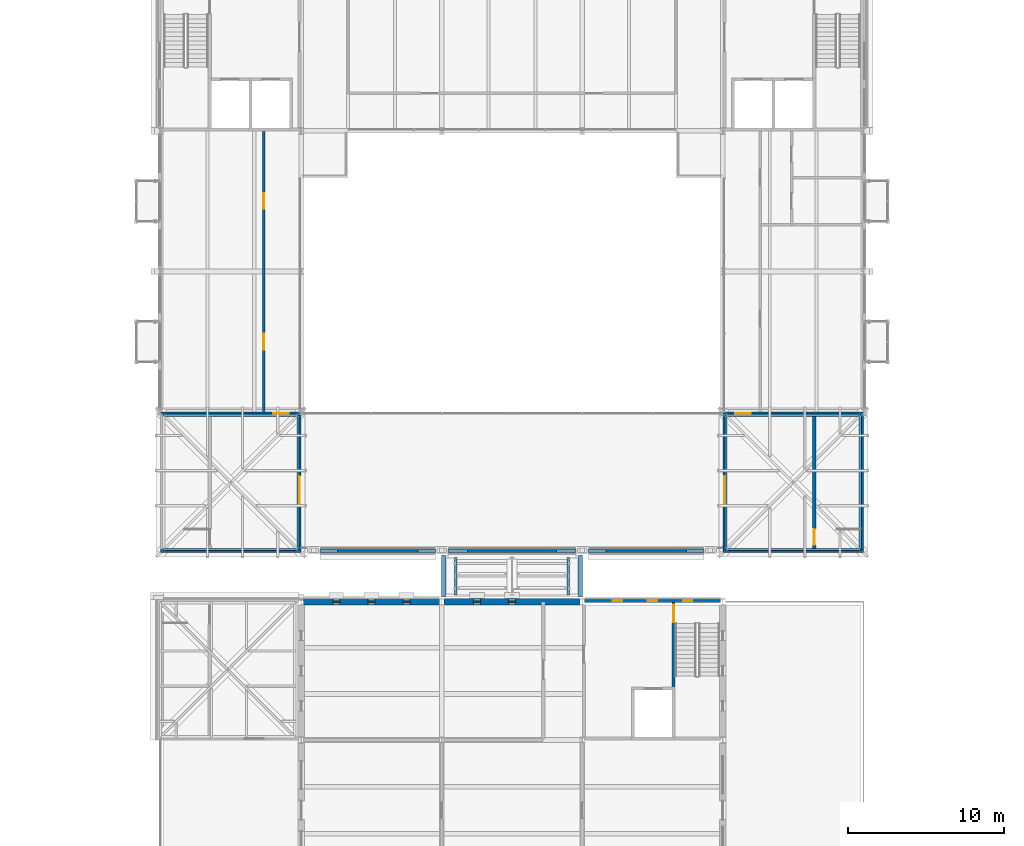
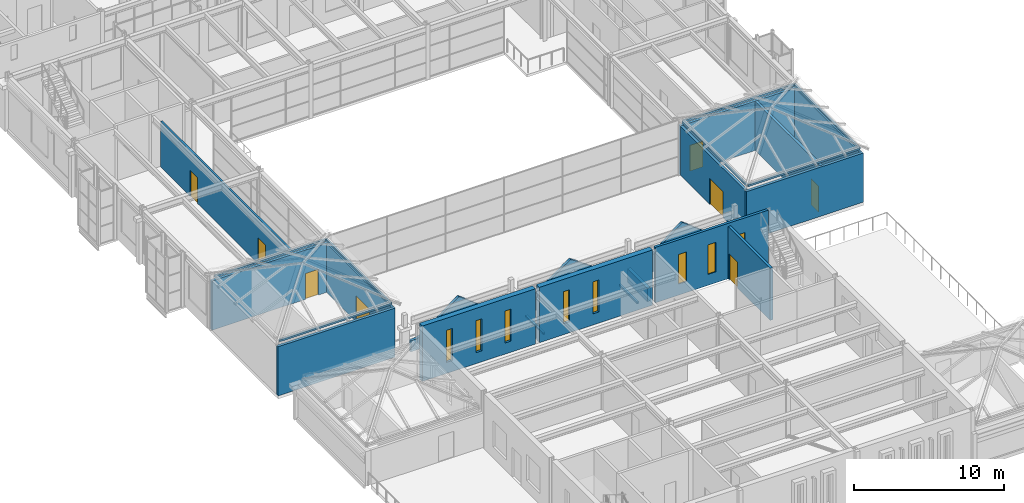
# One storey, part 91 of 149: 27 walls, 8 doors, 8 windows, 16 openings.
"""IFC4 building model written with IfcOpenShell, lengths in metres."""

from ifc_helpers import new_model, si_unit, direction, frame, frame_2d, origin, place, context, subcontext, project, spatial, polyline, rectangle, outline, extrude, material, layer, layer_set, type_object, element, fill, save


model = new_model("IFC4")

# Units and contexts
model_context = context("Model", 3, precision=1e-05, world=origin(), true_north=direction((0.0, 1.0)))
body_context = subcontext(model_context, "Body", "Model", "MODEL_VIEW")
ifc_project = project(units=[si_unit("LENGTHUNIT", "METRE"), si_unit("AREAUNIT", "SQUARE_METRE"), si_unit("VOLUMEUNIT", "CUBIC_METRE"), si_unit("PLANEANGLEUNIT", "RADIAN"), si_unit("MASSUNIT", "GRAM", prefix="KILO")], contexts=[model_context])

# Site, building, storey
site_placement = place(None, origin())
site = spatial("IfcSite", under=ifc_project, at=site_placement, CompositionType="ELEMENT")
building_placement = place(site_placement, origin())
building = spatial("IfcBuilding", under=site, at=building_placement, Name="Kallimachos Central Library", CompositionType="ELEMENT")
storey_placement = place(building_placement, frame((0.0, 0.0, 9.89990234375)))
storey = spatial("IfcBuildingStorey", under=building, at=storey_placement, Name="L02", CompositionType="ELEMENT", Elevation=9.89990234375)

# Walls
ifc_material_1 = material(Name="Concrete C30/37", Category="concrete")
ifc_layer_1 = layer(ifc_material_1, 0.14990234375)
ifc_layer_set_1 = layer_set([ifc_layer_1], Name="Concrete C30/37 eaves kerb 150")
wall_type_1 = type_object("IfcWallType", Name="Concrete C30/37 eaves kerb 150", PredefinedType="SOLIDWALL", material=ifc_layer_set_1)
for number, where, z_axis, x_axis, name in (
    (1, (65.699951171875, 48.199951171875, 4.25), (0.0, 0.0, 1.0), (1.0, 0.0, 0.0), "Head-house roof V4-SW eaves kerb S"),
    (2, (65.699951171875, 56.800048828125, 4.25), (0.0, 0.0, 1.0), (1.0, 0.0, 0.0), "Head-house roof V4-SW eaves kerb N"),
    (3, (74.300048828125, 48.199951171875, 4.25), (0.0, 0.0, 1.0), (0.0, 1.0, 0.0), "Head-house roof V4-SW eaves kerb E"),
    (4, (101.699951171875, 48.199951171875, 4.25), (0.0, 0.0, 1.0), (1.0, 0.0, 0.0), "Head-house roof V4-SE eaves kerb S"),
    (5, (101.699951171875, 56.800048828125, 4.25), (0.0, 0.0, 1.0), (1.0, 0.0, 0.0), "Head-house roof V4-SE eaves kerb N"),
    (6, (101.699951171875, 48.199951171875, 4.25), (0.0, 0.0, 1.0), (0.0, 1.0, 0.0), "Head-house roof V4-SE eaves kerb W"),
    (7, (110.300048828125, 48.199951171875, 4.25), (0.0, 0.0, 1.0), (0.0, 1.0, 0.0), "Head-house roof V4-SE eaves kerb E"),
):
    element("IfcWall", number, at=place(storey_placement, frame(where, z_axis=z_axis, x_axis=x_axis)), inside=storey, type_object=wall_type_1, Name=name, PredefinedType="SOLIDWALL", context=body_context, shape_type="SweptSolid", body=[
        extrude(rectangle(XDim=8.60009765625, YDim=0.14990234375, at=frame_2d((4.300048828125, 0.0))), origin(), (0.0, 0.0, 1.0), 0.150146484375),
    ])
for number, where, z_axis, x_axis, name in (
    (8, (84.39990234375, 45.300048828125, 0.0), (0.0, 0.0, 1.0), (0.0, 1.0, 0.0), "Stacks Link roof eaves kerb W"),
    (9, (91.60009765625, 45.300048828125, 0.0), (0.0, 0.0, 1.0), (0.0, 1.0, 0.0), "Stacks Link roof eaves kerb E"),
):
    element("IfcWall", number, at=place(storey_placement, frame(where, z_axis=z_axis, x_axis=x_axis)), inside=storey, type_object=wall_type_1, Name=name, PredefinedType="SOLIDWALL", context=body_context, shape_type="SweptSolid", body=[
        extrude(rectangle(XDim=2.39990234375, YDim=0.14990234375, at=frame_2d((1.199951171875, 0.0))), origin(), (0.0, 0.0, 1.0), 0.150146484375),
    ])

# Wall, opening, door
ifc_material_2 = material(Name="Concrete C30/37", Category="concrete")
ifc_layer_2 = layer(ifc_material_2, 0.199951171875)
ifc_layer_set_2 = layer_set([ifc_layer_2], Name="Core wall 200")
wall_type_2 = type_object("IfcWallType", Name="Core wall 200", PredefinedType="SOLIDWALL", material=ifc_layer_set_2)
wall_1_placement = place(storey_placement, frame((98.35009765625, 39.199951171875, 0.0), z_axis=(0.0, 0.0, 1.0), x_axis=(0.0, 1.0, 0.0)))
wall_1 = element("IfcWall", 10, at=wall_1_placement, inside=storey, type_object=wall_type_2, Name="V5-WAL-L02-044", PredefinedType="SOLIDWALL", context=body_context, shape_type="SweptSolid", body=[
    extrude(rectangle(XDim=5.60009765625, YDim=0.199951171875, at=frame_2d((2.800048828125, 0.0))), origin(), (0.0, 0.0, 1.0), 4.25),
])
opening_1_placement = place(wall_1_placement, frame((4.35009765625, 0.0, 0.0)))
opening_1 = element("IfcOpeningElement", 11, at=opening_1_placement, cuts=wall_1, Name="Opening D111", PredefinedType="OPENING", context=body_context, shape_type="SweptSolid", body=[
    extrude(rectangle(XDim=1.10009765625, YDim=2.10009765625, at=frame_2d((0.550048828125, 1.050048828125))), frame((0.0, 0.10986328125, 0.0), z_axis=(0.0, -1.0, 0.0), x_axis=(1.0, 0.0, 0.0)), (0.0, 0.0, 1.0), 0.219970703125),
])
ifc_material_3 = material(Name="Steel fire door", Category="steel")
door_type_1 = type_object("IfcDoorType", Name="Fire door EI2 90 1100 x 2100", OperationType="NOTDEFINED", PredefinedType="DOOR", material=ifc_material_3)
door_1_placement = place(opening_1_placement, frame((1.10009765625, 0.0, 0.0), z_axis=(0.0, 0.0, 1.0), x_axis=(-1.0, 0.0, 0.0)))
door_1 = element("IfcDoor", 12, at=door_1_placement, inside=storey, type_object=door_type_1, Name="ST14 stair door L02", OperationType="SINGLE_SWING_RIGHT", OverallHeight=2.10009765625, OverallWidth=1.10009765625, PredefinedType="DOOR", context=body_context, shape_type="SweptSolid", body=[
    extrude(rectangle(XDim=1.10009765625, YDim=2.10009765625, at=frame_2d((0.550048828125, 1.050048828125))), frame((0.0, 0.02490234375, 0.0), z_axis=(0.0, -1.0, 0.0), x_axis=(1.0, 0.0, 0.0)), (0.0, 0.0, 1.0), 0.050048828125),
])
fill(opening_1, door_1)

# Walls
ifc_material_4 = material(Name="Brick masonry with stone coping", Category="masonry")
ifc_layer_3 = layer(ifc_material_4, 0.25)
ifc_layer_set_3 = layer_set([ifc_layer_3], Name="Link parapet wall 250")
wall_type_3 = type_object("IfcWallType", Name="Link parapet wall 250", PredefinedType="SOLIDWALL", material=ifc_layer_set_3)
for number, where, z_axis, x_axis, name in (
    (13, (83.625, 45.169921875, 0.0), (0.0, 0.0, 1.0), (0.0, 1.0, 0.0), "Stacks Link roof parapet"),
    (14, (92.375, 45.169921875, 0.0), (0.0, 0.0, 1.0), (0.0, 1.0, 0.0), "Stacks Link roof parapet"),
):
    element("IfcWall", number, at=place(storey_placement, frame(where, z_axis=z_axis, x_axis=x_axis)), inside=storey, type_object=wall_type_3, Name=name, PredefinedType="SOLIDWALL", context=body_context, shape_type="SweptSolid", body=[
        extrude(rectangle(XDim=2.66015625, YDim=0.25, at=frame_2d((1.330078125, 0.0))), origin(), (0.0, 0.0, 1.0), 1.10009765625),
    ])

# Wall, openings, doors
ifc_material_5 = material(Name="Gypsum board on steel studs", Category="steel")
ifc_layer_4 = layer(ifc_material_5, 0.14990234375)
ifc_layer_set_4 = layer_set([ifc_layer_4], Name="Partition wall 150")
wall_type_4 = type_object("IfcWallType", Name="Partition wall 150", PredefinedType="PARTITIONING", material=ifc_layer_set_4)
wall_2_placement = place(storey_placement, frame((72.10009765625, 57.050048828125, 0.0), z_axis=(0.0, 0.0, 1.0), x_axis=(0.0, 1.0, 0.0)))
wall_2 = element("IfcWall", 15, at=wall_2_placement, inside=storey, type_object=wall_type_4, Name="L02 partition", PredefinedType="PARTITIONING", context=body_context, shape_type="SweptSolid", body=[
    extrude(rectangle(XDim=17.89990234375, YDim=0.14990234375, at=frame_2d((8.949951171875, 0.0))), origin(), (0.0, 0.0, 1.0), 3.7001953125),
])
opening_2_placement = place(wall_2_placement, frame((3.949951171875, 0.0, 0.0)))
opening_2 = element("IfcOpeningElement", 16, at=opening_2_placement, cuts=wall_2, Name="Opening D201", PredefinedType="OPENING", context=body_context, shape_type="SweptSolid", body=[
    extrude(rectangle(XDim=1.0, YDim=2.10009765625, at=frame_2d((0.5, 1.050048828125))), frame((0.0, 0.0849609375, 0.0), z_axis=(0.0, -1.0, 0.0), x_axis=(1.0, 0.0, 0.0)), (0.0, 0.0, 1.0), 0.169921875),
])
opening_3_placement = place(wall_2_placement, frame((12.949951171875, 0.0, 0.0)))
opening_3 = element("IfcOpeningElement", 17, at=opening_3_placement, cuts=wall_2, Name="Opening D202", PredefinedType="OPENING", context=body_context, shape_type="SweptSolid", body=[
    extrude(rectangle(XDim=1.0, YDim=2.10009765625, at=frame_2d((0.5, 1.050048828125))), frame((0.0, 0.0849609375, 0.0), z_axis=(0.0, -1.0, 0.0), x_axis=(1.0, 0.0, 0.0)), (0.0, 0.0, 1.0), 0.169921875),
])
ifc_material_6 = material(Name="Timber", Category="wood")
door_type_2 = type_object("IfcDoorType", Name="Single leaf door 1000 x 2100, EI2 30", OperationType="NOTDEFINED", PredefinedType="DOOR", material=ifc_material_6)
door_2_placement = place(opening_2_placement, frame((1.0, 0.0, 0.0), z_axis=(0.0, 0.0, 1.0), x_axis=(-1.0, 0.0, 0.0)))
door_2 = element("IfcDoor", 18, at=door_2_placement, inside=storey, type_object=door_type_2, Name="L02 door Quiet Reading Room 1", OperationType="SINGLE_SWING_LEFT", OverallHeight=2.10009765625, OverallWidth=1.0, PredefinedType="DOOR", context=body_context, shape_type="SweptSolid", body=[
    extrude(rectangle(XDim=1.0, YDim=2.10009765625, at=frame_2d((0.5, 1.050048828125))), frame((0.0, 0.02490234375, 0.0), z_axis=(0.0, -1.0, 0.0), x_axis=(1.0, 0.0, 0.0)), (0.0, 0.0, 1.0), 0.050048828125),
])
fill(opening_2, door_2)
door_3_placement = place(opening_3_placement, frame((1.0, 0.0, 0.0), z_axis=(0.0, 0.0, 1.0), x_axis=(-1.0, 0.0, 0.0)))
door_3 = element("IfcDoor", 19, at=door_3_placement, inside=storey, type_object=door_type_2, Name="L02 door Quiet Reading Room 1", OperationType="SINGLE_SWING_LEFT", OverallHeight=2.10009765625, OverallWidth=1.0, PredefinedType="DOOR", context=body_context, shape_type="SweptSolid", body=[
    extrude(rectangle(XDim=1.0, YDim=2.10009765625, at=frame_2d((0.5, 1.050048828125))), frame((0.0, 0.02490234375, 0.0), z_axis=(0.0, -1.0, 0.0), x_axis=(1.0, 0.0, 0.0)), (0.0, 0.0, 1.0), 0.050048828125),
])
fill(opening_3, door_3)

# Wall
ifc_material_7 = material(Name="Concrete C35/45", Category="concrete")
ifc_layer_5 = layer(ifc_material_7, 0.199951171875)
ifc_layer_set_5 = layer_set([ifc_layer_5], Name="Shear core wall 200")
wall_type_5 = type_object("IfcWallType", Name="Shear core wall 200", PredefinedType="SHEAR", material=ifc_layer_set_5)
wall_3_placement = place(storey_placement, frame((65.5, 48.10009765625, 0.0), z_axis=(0.0, 0.0, 1.0), x_axis=(1.0, 0.0, 0.0)))
element("IfcWall", 20, at=wall_3_placement, inside=storey, type_object=wall_type_5, Name="Head-house wall V4-SW S", PredefinedType="SHEAR", context=body_context, shape_type="SweptSolid", body=[
    extrude(rectangle(XDim=9.0, YDim=0.199951171875, at=frame_2d((4.5, 0.0))), origin(), (0.0, 0.0, 1.0), 4.0),
])

# Wall, opening, door
wall_4_placement = place(storey_placement, frame((74.39990234375, 48.199951171875, 0.0), z_axis=(0.0, 0.0, 1.0), x_axis=(0.0, 1.0, 0.0)))
wall_4 = element("IfcWall", 21, at=wall_4_placement, inside=storey, type_object=wall_type_5, Name="Head-house wall V4-SW E", PredefinedType="SHEAR", context=body_context, shape_type="SweptSolid", body=[
    extrude(rectangle(XDim=8.60009765625, YDim=0.199951171875, at=frame_2d((4.300048828125, 0.0))), origin(), (0.0, 0.0, 1.0), 4.0),
])
opening_4_placement = place(wall_4_placement, frame((2.89990234375, 0.0, 0.0)))
opening_4 = element("IfcOpeningElement", 22, at=opening_4_placement, cuts=wall_4, Name="Opening D47", PredefinedType="OPENING", context=body_context, shape_type="SweptSolid", body=[
    extrude(rectangle(XDim=1.800048828125, YDim=2.10009765625, at=frame_2d((0.89990234375, 1.050048828125))), frame((0.0, 0.10986328125, 0.0), z_axis=(0.0, -1.0, 0.0), x_axis=(1.0, 0.0, 0.0)), (0.0, 0.0, 1.0), 0.219970703125),
])
ifc_material_8 = material(Name="Timber and glass", Category="wood")
door_type_3 = type_object("IfcDoorType", Name="Double leaf door 1800 x 2100, EI2 90", OperationType="DOUBLE_DOOR_SINGLE_SWING", PredefinedType="DOOR", material=ifc_material_8)
door_4_placement = place(opening_4_placement, origin())
door_4 = element("IfcDoor", 23, at=door_4_placement, inside=storey, type_object=door_type_3, Name="Roof Garden Door", OperationType="DOUBLE_DOOR_SINGLE_SWING", OverallHeight=2.10009765625, OverallWidth=1.800048828125, PredefinedType="DOOR", context=body_context, shape_type="SweptSolid", body=[
    extrude(rectangle(XDim=1.800048828125, YDim=2.10009765625, at=frame_2d((0.89990234375, 1.050048828125))), frame((0.0, 0.02490234375, 0.0), z_axis=(0.0, -1.0, 0.0), x_axis=(1.0, 0.0, 0.0)), (0.0, 0.0, 1.0), 0.050048828125),
])
fill(opening_4, door_4)

# Wall
wall_5_placement = place(storey_placement, frame((101.5, 48.10009765625, 0.0), z_axis=(0.0, 0.0, 1.0), x_axis=(1.0, 0.0, 0.0)))
element("IfcWall", 24, at=wall_5_placement, inside=storey, type_object=wall_type_5, Name="Head-house wall V4-SE S", PredefinedType="SHEAR", context=body_context, shape_type="SweptSolid", body=[
    extrude(rectangle(XDim=9.0, YDim=0.199951171875, at=frame_2d((4.5, 0.0))), origin(), (0.0, 0.0, 1.0), 4.0),
])

# Wall, opening, door
wall_6_placement = place(storey_placement, frame((101.60009765625, 48.199951171875, 0.0), z_axis=(0.0, 0.0, 1.0), x_axis=(0.0, 1.0, 0.0)))
wall_6 = element("IfcWall", 25, at=wall_6_placement, inside=storey, type_object=wall_type_5, Name="Head-house wall V4-SE W", PredefinedType="SHEAR", context=body_context, shape_type="SweptSolid", body=[
    extrude(rectangle(XDim=8.60009765625, YDim=0.199951171875, at=frame_2d((4.300048828125, 0.0))), origin(), (0.0, 0.0, 1.0), 4.0),
])
opening_5_placement = place(wall_6_placement, frame((2.89990234375, 0.0, 0.0)))
opening_5 = element("IfcOpeningElement", 26, at=opening_5_placement, cuts=wall_6, Name="Opening D48", PredefinedType="OPENING", context=body_context, shape_type="SweptSolid", body=[
    extrude(rectangle(XDim=1.800048828125, YDim=2.10009765625, at=frame_2d((0.89990234375, 1.050048828125))), frame((0.0, 0.10986328125, 0.0), z_axis=(0.0, -1.0, 0.0), x_axis=(1.0, 0.0, 0.0)), (0.0, 0.0, 1.0), 0.219970703125),
])
door_5_placement = place(opening_5_placement, frame((1.800048828125, 0.0, 0.0), z_axis=(0.0, 0.0, 1.0), x_axis=(-1.0, 0.0, 0.0)))
door_5 = element("IfcDoor", 27, at=door_5_placement, inside=storey, type_object=door_type_3, Name="Roof Garden Door", OperationType="DOUBLE_DOOR_SINGLE_SWING", OverallHeight=2.10009765625, OverallWidth=1.800048828125, PredefinedType="DOOR", context=body_context, shape_type="SweptSolid", body=[
    extrude(rectangle(XDim=1.800048828125, YDim=2.10009765625, at=frame_2d((0.89990234375, 1.050048828125))), frame((0.0, 0.02490234375, 0.0), z_axis=(0.0, -1.0, 0.0), x_axis=(1.0, 0.0, 0.0)), (0.0, 0.0, 1.0), 0.050048828125),
])
fill(opening_5, door_5)

# Wall
wall_7_placement = place(storey_placement, frame((110.39990234375, 48.199951171875, 0.0), z_axis=(0.0, 0.0, 1.0), x_axis=(0.0, 1.0, 0.0)))
element("IfcWall", 28, at=wall_7_placement, inside=storey, type_object=wall_type_5, Name="Head-house wall V4-SE E", PredefinedType="SHEAR", context=body_context, shape_type="SweptSolid", body=[
    extrude(rectangle(XDim=8.60009765625, YDim=0.199951171875, at=frame_2d((4.300048828125, 0.0))), origin(), (0.0, 0.0, 1.0), 4.0),
])

# Wall, opening, door
ifc_material_9 = material(Name="Concrete C35/45", Category="concrete")
ifc_layer_6 = layer(ifc_material_9, 0.199951171875)
ifc_layer_set_6 = layer_set([ifc_layer_6], Name="Shear core wall 200, internal")
wall_type_6 = type_object("IfcWallType", Name="Shear core wall 200, internal", PredefinedType="SHEAR", material=ifc_layer_set_6)
wall_8_placement = place(storey_placement, frame((65.5, 56.89990234375, 0.0), z_axis=(0.0, 0.0, 1.0), x_axis=(1.0, 0.0, 0.0)))
wall_8 = element("IfcWall", 29, at=wall_8_placement, inside=storey, type_object=wall_type_6, Name="L02 core wall V4-SW N", PredefinedType="SHEAR", context=body_context, shape_type="SweptSolid", body=[
    extrude(rectangle(XDim=9.0, YDim=0.199951171875, at=frame_2d((4.5, 0.0))), origin(), (0.0, 0.0, 1.0), 4.0),
])
opening_6_placement = place(wall_8_placement, frame((7.199951171875, 0.0, 0.0)))
opening_6 = element("IfcOpeningElement", 30, at=opening_6_placement, cuts=wall_8, Name="Opening D170", PredefinedType="OPENING", context=body_context, shape_type="SweptSolid", body=[
    extrude(rectangle(XDim=1.0, YDim=2.10009765625, at=frame_2d((0.5, 1.050048828125))), frame((0.0, 0.10986328125, 0.0), z_axis=(0.0, -1.0, 0.0), x_axis=(1.0, 0.0, 0.0)), (0.0, 0.0, 1.0), 0.219970703125),
])
ifc_material_10 = material(Name="Timber", Category="wood")
door_type_4 = type_object("IfcDoorType", Name="Single leaf door 1000 x 2100, EI2 90", OperationType="NOTDEFINED", PredefinedType="DOOR", material=ifc_material_10)
door_6_placement = place(opening_6_placement, origin())
door_6 = element("IfcDoor", 31, at=door_6_placement, inside=storey, type_object=door_type_4, Name="L02 core door V4-SW", OperationType="SINGLE_SWING_RIGHT", OverallHeight=2.10009765625, OverallWidth=1.0, PredefinedType="DOOR", context=body_context, shape_type="SweptSolid", body=[
    extrude(rectangle(XDim=1.0, YDim=2.10009765625, at=frame_2d((0.5, 1.050048828125))), frame((0.0, 0.02490234375, 0.0), z_axis=(0.0, -1.0, 0.0), x_axis=(1.0, 0.0, 0.0)), (0.0, 0.0, 1.0), 0.050048828125),
])
fill(opening_6, door_6)

wall_9_placement = place(storey_placement, frame((101.5, 56.89990234375, 0.0), z_axis=(0.0, 0.0, 1.0), x_axis=(1.0, 0.0, 0.0)))
wall_9 = element("IfcWall", 32, at=wall_9_placement, inside=storey, type_object=wall_type_6, Name="L02 core wall V4-SE N", PredefinedType="SHEAR", context=body_context, shape_type="SweptSolid", body=[
    extrude(rectangle(XDim=9.0, YDim=0.199951171875, at=frame_2d((4.5, 0.0))), origin(), (0.0, 0.0, 1.0), 4.0),
])
opening_7_placement = place(wall_9_placement, frame((0.800048828125, 0.0, 0.0)))
opening_7 = element("IfcOpeningElement", 33, at=opening_7_placement, cuts=wall_9, Name="Opening D178", PredefinedType="OPENING", context=body_context, shape_type="SweptSolid", body=[
    extrude(rectangle(XDim=1.0, YDim=2.10009765625, at=frame_2d((0.5, 1.050048828125))), frame((0.0, 0.10986328125, 0.0), z_axis=(0.0, -1.0, 0.0), x_axis=(1.0, 0.0, 0.0)), (0.0, 0.0, 1.0), 0.219970703125),
])
door_7_placement = place(opening_7_placement, origin())
door_7 = element("IfcDoor", 34, at=door_7_placement, inside=storey, type_object=door_type_4, Name="L02 core door V4-SE", OperationType="SINGLE_SWING_RIGHT", OverallHeight=2.10009765625, OverallWidth=1.0, PredefinedType="DOOR", context=body_context, shape_type="SweptSolid", body=[
    extrude(rectangle(XDim=1.0, YDim=2.10009765625, at=frame_2d((0.5, 1.050048828125))), frame((0.0, 0.02490234375, 0.0), z_axis=(0.0, -1.0, 0.0), x_axis=(1.0, 0.0, 0.0)), (0.0, 0.0, 1.0), 0.050048828125),
])
fill(opening_7, door_7)

wall_10_placement = place(storey_placement, frame((107.35009765625, 48.14990234375, 0.0), z_axis=(0.0, 0.0, 1.0), x_axis=(0.0, 1.0, 0.0)))
wall_10 = element("IfcWall", 35, at=wall_10_placement, inside=storey, type_object=wall_type_6, Name="L02 core wall V4-SE M", PredefinedType="SHEAR", context=body_context, shape_type="SweptSolid", body=[
    extrude(rectangle(XDim=8.650146484375, YDim=0.199951171875, at=frame_2d((4.3251953125, 0.0))), origin(), (0.0, 0.0, 1.0), 4.0),
])
opening_8_placement = place(wall_10_placement, frame((0.35009765625, 0.0, 0.0)))
opening_8 = element("IfcOpeningElement", 36, at=opening_8_placement, cuts=wall_10, Name="Opening D183", PredefinedType="OPENING", context=body_context, shape_type="SweptSolid", body=[
    extrude(rectangle(XDim=1.0, YDim=2.10009765625, at=frame_2d((0.5, 1.050048828125))), frame((0.0, 0.10986328125, 0.0), z_axis=(0.0, -1.0, 0.0), x_axis=(1.0, 0.0, 0.0)), (0.0, 0.0, 1.0), 0.219970703125),
])
door_8_placement = place(opening_8_placement, origin())
door_8 = element("IfcDoor", 37, at=door_8_placement, inside=storey, type_object=door_type_4, Name="L02 core door V4-SE", OperationType="SINGLE_SWING_RIGHT", OverallHeight=2.10009765625, OverallWidth=1.0, PredefinedType="DOOR", context=body_context, shape_type="SweptSolid", body=[
    extrude(rectangle(XDim=1.0, YDim=2.10009765625, at=frame_2d((0.5, 1.050048828125))), frame((0.0, 0.02490234375, 0.0), z_axis=(0.0, -1.0, 0.0), x_axis=(1.0, 0.0, 0.0)), (0.0, 0.0, 1.0), 0.050048828125),
])
fill(opening_8, door_8)

# Walls
ifc_material_11 = material(Name="Pentelic marble cladding on reinforced concrete C30/37", Category="masonry")
ifc_layer_7 = layer(ifc_material_11, 0.199951171875)
ifc_layer_set_7 = layer_set([ifc_layer_7], Name="Stone crown wall 200")
wall_type_7 = type_object("IfcWallType", Name="Stone crown wall 200", PredefinedType="PARAPET", material=ifc_layer_set_7)
wall_11_placement = place(storey_placement, frame((75.7099609375, 48.10009765625, 0.0), z_axis=(0.0, 0.0, 1.0), x_axis=(1.0, 0.0, 0.0)))
element("IfcWall", 38, at=wall_11_placement, inside=storey, type_object=wall_type_7, Name="South row roof edge crown 1", PredefinedType="PARAPET", context=body_context, shape_type="SweptSolid", body=[
    extrude(outline(polyline([(0.0, 0.0), (7.39013671875, 0.0), (7.389892578125, 0.900146484375), (6.927978515625, 0.91357421875), (6.46630859375, 1.0751953125), (6.00439453125, 1.373046875), (5.54248046875, 1.748291015625), (5.08056640625, 2.142333984375), (4.618896484375, 2.5009765625), (4.156982421875, 2.8701171875), (3.695068359375, 3.2001953125), (3.233154296875, 2.8701171875), (2.771240234375, 2.5009765625), (2.309326171875, 2.142333984375), (1.847412109375, 1.748291015625), (1.385498046875, 1.373046875), (0.923828125, 1.0751953125), (0.4619140625, 0.91357421875), (0.0, 0.900146484375), (0.0, 0.0)])), frame((0.0, 0.10009765625, 0.0), z_axis=(0.0, -1.0, 0.0), x_axis=(1.0, 0.0, 0.0)), (0.0, 0.0, 1.0), 0.199951171875),
])
wall_12_placement = place(storey_placement, frame((83.89990234375, 48.10009765625, 0.0), z_axis=(0.0, 0.0, 1.0), x_axis=(1.0, 0.0, 0.0)))
element("IfcWall", 39, at=wall_12_placement, inside=storey, type_object=wall_type_7, Name="South row roof edge crown 2", PredefinedType="PARAPET", context=body_context, shape_type="SweptSolid", body=[
    extrude(outline(polyline([(0.0, 0.0), (8.2001953125, 0.0), (8.199951171875, 0.900146484375), (7.744384765625, 0.906494140625), (7.288818359375, 1.025390625), (6.833251953125, 1.26220703125), (6.377685546875, 1.57568359375), (5.922119140625, 1.924560546875), (5.466796875, 2.267822265625), (5.010986328125, 2.5751953125), (4.5556640625, 2.920166015625), (4.10009765625, 3.2001953125), (3.644287109375, 2.920166015625), (3.18896484375, 2.5751953125), (2.7333984375, 2.267822265625), (2.27783203125, 1.924560546875), (1.822265625, 1.57568359375), (1.36669921875, 1.26220703125), (0.9111328125, 1.025390625), (0.45556640625, 0.906494140625), (0.0, 0.900146484375), (0.0, 0.0)])), frame((0.0, 0.10009765625, 0.0), z_axis=(0.0, -1.0, 0.0), x_axis=(1.0, 0.0, 0.0)), (0.0, 0.0, 1.0), 0.199951171875),
])
wall_13_placement = place(storey_placement, frame((92.89990234375, 48.10009765625, 0.0), z_axis=(0.0, 0.0, 1.0), x_axis=(1.0, 0.0, 0.0)))
element("IfcWall", 40, at=wall_13_placement, inside=storey, type_object=wall_type_7, Name="South row roof edge crown 3", PredefinedType="PARAPET", context=body_context, shape_type="SweptSolid", body=[
    extrude(outline(polyline([(0.0, 0.0), (7.39013671875, 0.0), (7.389892578125, 0.900146484375), (6.927978515625, 0.91357421875), (6.46630859375, 1.0751953125), (6.00439453125, 1.373046875), (5.54248046875, 1.748291015625), (5.08056640625, 2.142333984375), (4.618896484375, 2.5009765625), (4.156982421875, 2.8701171875), (3.695068359375, 3.2001953125), (3.233154296875, 2.8701171875), (2.771240234375, 2.5009765625), (2.309326171875, 2.142333984375), (1.847412109375, 1.748291015625), (1.385498046875, 1.373046875), (0.923828125, 1.0751953125), (0.4619140625, 0.91357421875), (0.0, 0.900146484375), (0.0, 0.0)])), frame((0.0, 0.10009765625, 0.0), z_axis=(0.0, -1.0, 0.0), x_axis=(1.0, 0.0, 0.0)), (0.0, 0.0, 1.0), 0.199951171875),
])

# Wall, openings, windows
ifc_material_12 = material(Name="Pentelic marble masonry", Category="masonry")
ifc_layer_8 = layer(ifc_material_12, 0.39990234375)
ifc_layer_set_8 = layer_set([ifc_layer_8], Name="Stone masonry wall 400")
wall_type_8 = type_object("IfcWallType", Name="Stone masonry wall 400", PredefinedType="SOLIDWALL", material=ifc_layer_set_8)
wall_14_placement = place(storey_placement, frame((74.64990234375, 44.85009765625, 0.0), z_axis=(0.0, 0.0, 1.0), x_axis=(1.0, 0.0, 0.0)))
wall_14 = element("IfcWall", 41, at=wall_14_placement, inside=storey, type_object=wall_type_8, Name="V5-WAL-L02-021", PredefinedType="SOLIDWALL", context=body_context, shape_type="SweptSolid", body=[
    extrude(rectangle(XDim=8.7001953125, YDim=0.39990234375, at=frame_2d((4.35009765625, 0.0))), origin(), (0.0, 0.0, 1.0), 4.5),
])
opening_9_placement = place(wall_14_placement, frame((1.875, 0.0, 0.89990234375)))
opening_9 = element("IfcOpeningElement", 42, at=opening_9_placement, cuts=wall_14, Name="Opening WN76", PredefinedType="OPENING", context=body_context, shape_type="SweptSolid", body=[
    extrude(rectangle(XDim=0.449951171875, YDim=2.60009765625, at=frame_2d((0.22509765625, 1.300048828125))), frame((0.0, 0.2099609375, 0.0), z_axis=(0.0, -1.0, 0.0), x_axis=(1.0, 0.0, 0.0)), (0.0, 0.0, 1.0), 0.419921875),
])
opening_10_placement = place(wall_14_placement, frame((4.125, 0.0, 0.89990234375)))
opening_10 = element("IfcOpeningElement", 43, at=opening_10_placement, cuts=wall_14, Name="Opening WN77", PredefinedType="OPENING", context=body_context, shape_type="SweptSolid", body=[
    extrude(rectangle(XDim=0.449951171875, YDim=2.60009765625, at=frame_2d((0.22509765625, 1.300048828125))), frame((0.0, 0.2099609375, 0.0), z_axis=(0.0, -1.0, 0.0), x_axis=(1.0, 0.0, 0.0)), (0.0, 0.0, 1.0), 0.419921875),
])
opening_11_placement = place(wall_14_placement, frame((6.375, 0.0, 0.89990234375)))
opening_11 = element("IfcOpeningElement", 44, at=opening_11_placement, cuts=wall_14, Name="Opening WN78", PredefinedType="OPENING", context=body_context, shape_type="SweptSolid", body=[
    extrude(rectangle(XDim=0.449951171875, YDim=2.60009765625, at=frame_2d((0.22509765625, 1.300048828125))), frame((0.0, 0.2099609375, 0.0), z_axis=(0.0, -1.0, 0.0), x_axis=(1.0, 0.0, 0.0)), (0.0, 0.0, 1.0), 0.419921875),
])
ifc_material_13 = material(Name="Anodised aluminium and laminated glass", Category="aluminium")
window_type_1 = type_object("IfcWindowType", Name="Stack slot window 450 x 2600", PartitioningType="SINGLE_PANEL", PredefinedType="WINDOW", material=ifc_material_13)
window_1_placement = place(opening_9_placement, origin())
window_1 = element("IfcWindow", 45, at=window_1_placement, inside=storey, type_object=window_type_1, Name="V5-WIN-L02-009", OverallHeight=2.60009765625, OverallWidth=0.449951171875, PartitioningType="SINGLE_PANEL", PredefinedType="WINDOW", context=body_context, shape_type="SweptSolid", body=[
    extrude(rectangle(XDim=0.449951171875, YDim=2.60009765625, at=frame_2d((0.22509765625, 1.300048828125))), frame((0.0, 0.030029296875, 0.0), z_axis=(0.0, -1.0, 0.0), x_axis=(1.0, 0.0, 0.0)), (0.0, 0.0, 1.0), 0.06005859375),
])
fill(opening_9, window_1)
window_2_placement = place(opening_10_placement, origin())
window_2 = element("IfcWindow", 46, at=window_2_placement, inside=storey, type_object=window_type_1, Name="V5-WIN-L02-010", OverallHeight=2.60009765625, OverallWidth=0.449951171875, PartitioningType="SINGLE_PANEL", PredefinedType="WINDOW", context=body_context, shape_type="SweptSolid", body=[
    extrude(rectangle(XDim=0.449951171875, YDim=2.60009765625, at=frame_2d((0.22509765625, 1.300048828125))), frame((0.0, 0.030029296875, 0.0), z_axis=(0.0, -1.0, 0.0), x_axis=(1.0, 0.0, 0.0)), (0.0, 0.0, 1.0), 0.06005859375),
])
fill(opening_10, window_2)
window_3_placement = place(opening_11_placement, origin())
window_3 = element("IfcWindow", 47, at=window_3_placement, inside=storey, type_object=window_type_1, Name="V5-WIN-L02-011", OverallHeight=2.60009765625, OverallWidth=0.449951171875, PartitioningType="SINGLE_PANEL", PredefinedType="WINDOW", context=body_context, shape_type="SweptSolid", body=[
    extrude(rectangle(XDim=0.449951171875, YDim=2.60009765625, at=frame_2d((0.22509765625, 1.300048828125))), frame((0.0, 0.030029296875, 0.0), z_axis=(0.0, -1.0, 0.0), x_axis=(1.0, 0.0, 0.0)), (0.0, 0.0, 1.0), 0.06005859375),
])
fill(opening_11, window_3)

wall_15_placement = place(storey_placement, frame((83.64990234375, 44.85009765625, 0.0), z_axis=(0.0, 0.0, 1.0), x_axis=(1.0, 0.0, 0.0)))
wall_15 = element("IfcWall", 48, at=wall_15_placement, inside=storey, type_object=wall_type_8, Name="V5-WAL-L02-022", PredefinedType="SOLIDWALL", context=body_context, shape_type="SweptSolid", body=[
    extrude(rectangle(XDim=8.7001953125, YDim=0.39990234375, at=frame_2d((4.35009765625, 0.0))), origin(), (0.0, 0.0, 1.0), 4.5),
])
opening_12_placement = place(wall_15_placement, frame((1.875, 0.0, 0.89990234375)))
opening_12 = element("IfcOpeningElement", 49, at=opening_12_placement, cuts=wall_15, Name="Opening WN79", PredefinedType="OPENING", context=body_context, shape_type="SweptSolid", body=[
    extrude(rectangle(XDim=0.449951171875, YDim=2.60009765625, at=frame_2d((0.22509765625, 1.300048828125))), frame((0.0, 0.2099609375, 0.0), z_axis=(0.0, -1.0, 0.0), x_axis=(1.0, 0.0, 0.0)), (0.0, 0.0, 1.0), 0.419921875),
])
opening_13_placement = place(wall_15_placement, frame((4.125, 0.0, 0.89990234375)))
opening_13 = element("IfcOpeningElement", 50, at=opening_13_placement, cuts=wall_15, Name="Opening WN80", PredefinedType="OPENING", context=body_context, shape_type="SweptSolid", body=[
    extrude(rectangle(XDim=0.449951171875, YDim=2.60009765625, at=frame_2d((0.22509765625, 1.300048828125))), frame((0.0, 0.2099609375, 0.0), z_axis=(0.0, -1.0, 0.0), x_axis=(1.0, 0.0, 0.0)), (0.0, 0.0, 1.0), 0.419921875),
])
window_4_placement = place(opening_12_placement, origin())
window_4 = element("IfcWindow", 51, at=window_4_placement, inside=storey, type_object=window_type_1, Name="V5-WIN-L02-012", OverallHeight=2.60009765625, OverallWidth=0.449951171875, PartitioningType="SINGLE_PANEL", PredefinedType="WINDOW", context=body_context, shape_type="SweptSolid", body=[
    extrude(rectangle(XDim=0.449951171875, YDim=2.60009765625, at=frame_2d((0.22509765625, 1.300048828125))), frame((0.0, 0.030029296875, 0.0), z_axis=(0.0, -1.0, 0.0), x_axis=(1.0, 0.0, 0.0)), (0.0, 0.0, 1.0), 0.06005859375),
])
fill(opening_12, window_4)
window_5_placement = place(opening_13_placement, origin())
window_5 = element("IfcWindow", 52, at=window_5_placement, inside=storey, type_object=window_type_1, Name="V5-WIN-L02-013", OverallHeight=2.60009765625, OverallWidth=0.449951171875, PartitioningType="SINGLE_PANEL", PredefinedType="WINDOW", context=body_context, shape_type="SweptSolid", body=[
    extrude(rectangle(XDim=0.449951171875, YDim=2.60009765625, at=frame_2d((0.22509765625, 1.300048828125))), frame((0.0, 0.030029296875, 0.0), z_axis=(0.0, -1.0, 0.0), x_axis=(1.0, 0.0, 0.0)), (0.0, 0.0, 1.0), 0.06005859375),
])
fill(opening_13, window_5)

ifc_material_14 = material(Name="Concrete C30/37", Category="concrete")
ifc_layer_9 = layer(ifc_material_14, 0.199951171875)
ifc_layer_set_9 = layer_set([ifc_layer_9], Name="Stone-clad core wall 200")
wall_type_9 = type_object("IfcWallType", Name="Stone-clad core wall 200", PredefinedType="SOLIDWALL", material=ifc_layer_set_9)
wall_16_placement = place(storey_placement, frame((92.64990234375, 44.89990234375, 0.0), z_axis=(0.0, 0.0, 1.0), x_axis=(1.0, 0.0, 0.0)))
wall_16 = element("IfcWall", 53, at=wall_16_placement, inside=storey, type_object=wall_type_9, Name="V5-WAL-L02-023", PredefinedType="SOLIDWALL", context=body_context, shape_type="SweptSolid", body=[
    extrude(rectangle(XDim=8.7001953125, YDim=0.199951171875, at=frame_2d((4.35009765625, 0.0))), origin(), (0.0, 0.0, 1.0), 4.5),
])
opening_14_placement = place(wall_16_placement, frame((1.800048828125, 0.0, 0.89990234375)))
opening_14 = element("IfcOpeningElement", 54, at=opening_14_placement, cuts=wall_16, Name="Opening WN81", PredefinedType="OPENING", context=body_context, shape_type="SweptSolid", body=[
    extrude(rectangle(XDim=0.60009765625, YDim=2.39990234375, at=frame_2d((0.300048828125, 1.199951171875))), frame((0.0, 0.10986328125, 0.0), z_axis=(0.0, -1.0, 0.0), x_axis=(1.0, 0.0, 0.0)), (0.0, 0.0, 1.0), 0.219970703125),
])
opening_15_placement = place(wall_16_placement, frame((4.050048828125, 0.0, 0.89990234375)))
opening_15 = element("IfcOpeningElement", 55, at=opening_15_placement, cuts=wall_16, Name="Opening WN82", PredefinedType="OPENING", context=body_context, shape_type="SweptSolid", body=[
    extrude(rectangle(XDim=0.60009765625, YDim=2.39990234375, at=frame_2d((0.300048828125, 1.199951171875))), frame((0.0, 0.10986328125, 0.0), z_axis=(0.0, -1.0, 0.0), x_axis=(1.0, 0.0, 0.0)), (0.0, 0.0, 1.0), 0.219970703125),
])
opening_16_placement = place(wall_16_placement, frame((6.300048828125, 0.0, 0.89990234375)))
opening_16 = element("IfcOpeningElement", 56, at=opening_16_placement, cuts=wall_16, Name="Opening WN83", PredefinedType="OPENING", context=body_context, shape_type="SweptSolid", body=[
    extrude(rectangle(XDim=0.60009765625, YDim=2.39990234375, at=frame_2d((0.300048828125, 1.199951171875))), frame((0.0, 0.10986328125, 0.0), z_axis=(0.0, -1.0, 0.0), x_axis=(1.0, 0.0, 0.0)), (0.0, 0.0, 1.0), 0.219970703125),
])
ifc_material_15 = material(Name="Anodised aluminium and laminated glass", Category="aluminium")
window_type_2 = type_object("IfcWindowType", Name="Slot window 600 x 2400", PartitioningType="SINGLE_PANEL", PredefinedType="WINDOW", material=ifc_material_15)
window_6_placement = place(opening_14_placement, origin())
window_6 = element("IfcWindow", 57, at=window_6_placement, inside=storey, type_object=window_type_2, Name="V5-WIN-L02-014", OverallHeight=2.39990234375, OverallWidth=0.60009765625, PartitioningType="SINGLE_PANEL", PredefinedType="WINDOW", context=body_context, shape_type="SweptSolid", body=[
    extrude(rectangle(XDim=0.60009765625, YDim=2.39990234375, at=frame_2d((0.300048828125, 1.199951171875))), frame((0.0, 0.030029296875, 0.0), z_axis=(0.0, -1.0, 0.0), x_axis=(1.0, 0.0, 0.0)), (0.0, 0.0, 1.0), 0.06005859375),
])
fill(opening_14, window_6)
window_7_placement = place(opening_15_placement, origin())
window_7 = element("IfcWindow", 58, at=window_7_placement, inside=storey, type_object=window_type_2, Name="V5-WIN-L02-015", OverallHeight=2.39990234375, OverallWidth=0.60009765625, PartitioningType="SINGLE_PANEL", PredefinedType="WINDOW", context=body_context, shape_type="SweptSolid", body=[
    extrude(rectangle(XDim=0.60009765625, YDim=2.39990234375, at=frame_2d((0.300048828125, 1.199951171875))), frame((0.0, 0.030029296875, 0.0), z_axis=(0.0, -1.0, 0.0), x_axis=(1.0, 0.0, 0.0)), (0.0, 0.0, 1.0), 0.06005859375),
])
fill(opening_15, window_7)
window_8_placement = place(opening_16_placement, origin())
window_8 = element("IfcWindow", 59, at=window_8_placement, inside=storey, type_object=window_type_2, Name="V5-WIN-L02-016", OverallHeight=2.39990234375, OverallWidth=0.60009765625, PartitioningType="SINGLE_PANEL", PredefinedType="WINDOW", context=body_context, shape_type="SweptSolid", body=[
    extrude(rectangle(XDim=0.60009765625, YDim=2.39990234375, at=frame_2d((0.300048828125, 1.199951171875))), frame((0.0, 0.030029296875, 0.0), z_axis=(0.0, -1.0, 0.0), x_axis=(1.0, 0.0, 0.0)), (0.0, 0.0, 1.0), 0.06005859375),
])
fill(opening_16, window_8)

save(model, "model.ifc")
